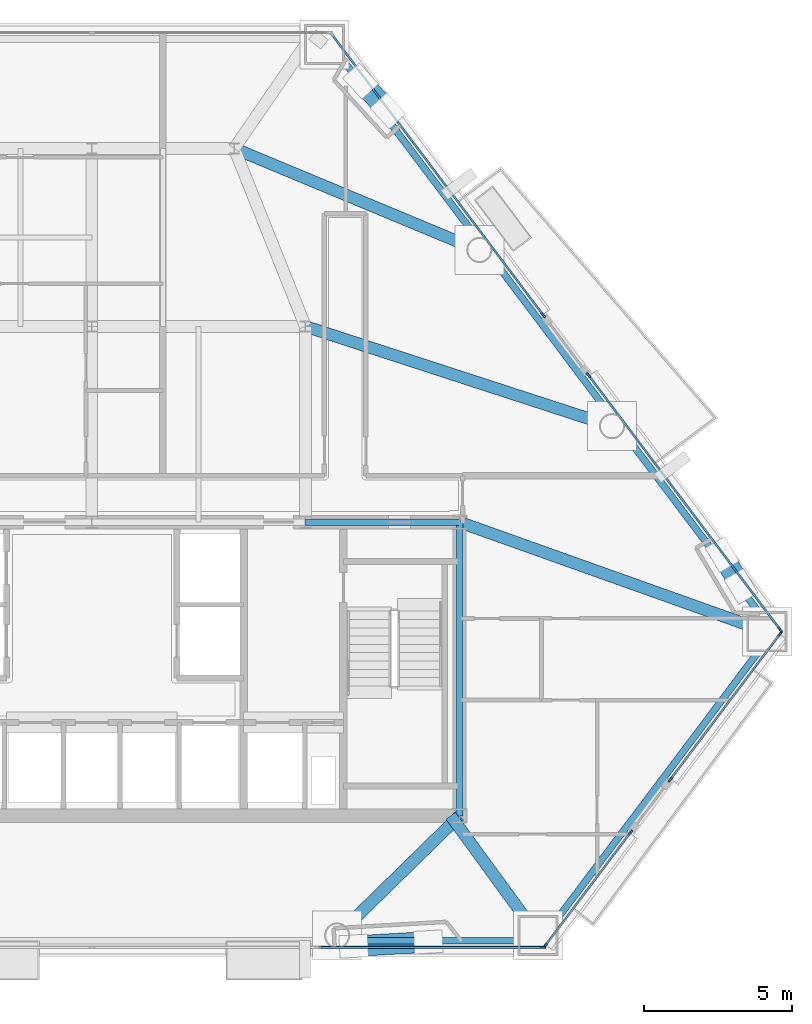
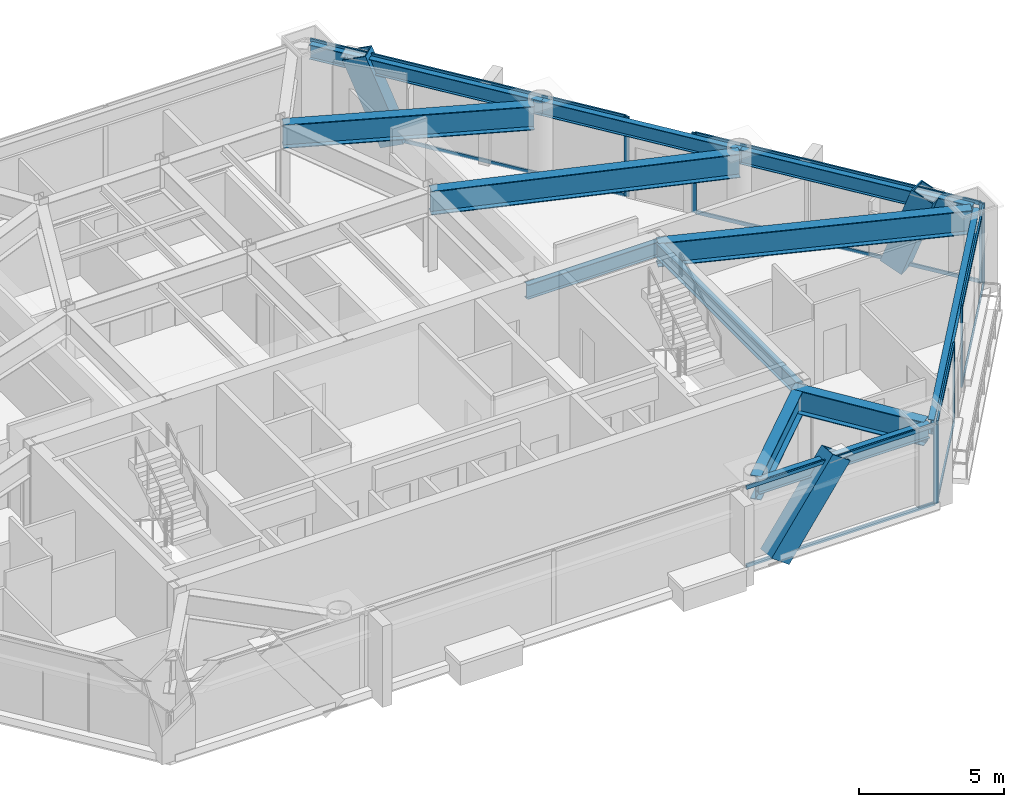
# One storey, part 4 of 10: 21 members, 12 beams, 5 elements without a shape of their own.
"""IFC4 building model written with IfcOpenShell, lengths in metres."""

from ifc_helpers import new_model, si_unit, direction, frame, origin, origin_2d, place, context, subcontext, project, spatial, rectangle, hollow_rectangle, i_section, extrude, material, layer, layer_set, material_profile, profile_set, type_object, element, aggregate, save


model = new_model("IFC4")

# Units and contexts
model_context = context("Model", 3, precision=1e-05, world=origin(), true_north=direction((0.0, 1.0)))
body_context = subcontext(model_context, "Body", "Model", "MODEL_VIEW")
ifc_project = project(units=[si_unit("LENGTHUNIT", "METRE"), si_unit("AREAUNIT", "SQUARE_METRE"), si_unit("VOLUMEUNIT", "CUBIC_METRE"), si_unit("PLANEANGLEUNIT", "RADIAN"), si_unit("MASSUNIT", "GRAM", prefix="KILO")], contexts=[model_context])

# Site, building, storey
site_placement = place(None, origin())
site = spatial("IfcSite", under=ifc_project, at=site_placement, CompositionType="ELEMENT")
building_placement = place(site_placement, origin())
building = spatial("IfcBuilding", under=site, at=building_placement, Name="Talgorran Terracotta Tower", CompositionType="ELEMENT")
storey_placement = place(building_placement, frame((0.0, 0.0, 49.5)))
storey = spatial("IfcBuildingStorey", under=building, at=storey_placement, Name="L12", CompositionType="ELEMENT", Elevation=49.5)

# Beams
ifc_material_1 = material(Name="Steel Grade 350 (350L0)", Category="steel")
ifc_material_profile_1 = material_profile(ifc_material_1, i_section(OverallWidth=0.39990234375, OverallDepth=1.0, WebThickness=0.01611328125, FlangeThickness=0.031005859375, at=origin_2d()), Name="1000WB296")
ifc_profile_set_1 = profile_set([ifc_material_profile_1], Name="Steel Grade 350 (350L0)")
beam_type_1 = type_object("IfcBeamType", Name="BM_1000WB296", PredefinedType="BEAM", material=ifc_profile_set_1)
beam_1_placement = place(storey_placement, frame((12.39990234375, -14.10009765625, 2.85009765625), z_axis=(-0.714889648405, -0.699237292058, 0.0), x_axis=(0.699237292058, -0.714889648405, 0.0)))
element("IfcBeam", 1, at=beam_1_placement, inside=storey, type_object=beam_type_1, Name="L12 South-East Core Tie Beam", PredefinedType="BEAM", context=body_context, shape_type="SweptSolid", body=[
    extrude(i_section(OverallWidth=0.39990234375, OverallDepth=1.0, WebThickness=0.01611328125, FlangeThickness=0.031005859375, at=origin_2d()), origin(), (0.0, 0.0, 1.0), 5.771240234375),
])
beam_2_placement = place(storey_placement, frame((15.0439453125, -18.135498046875, 2.85009765625), z_axis=(-0.589350973105, 0.807877113489, 0.0), x_axis=(-0.807877113489, -0.589350973105, 0.0)))
element("IfcBeam", 2, at=beam_2_placement, inside=storey, type_object=beam_type_1, Name="L12 Perimeter Step Girder 5", PredefinedType="BEAM", context=body_context, shape_type="SweptSolid", body=[
    extrude(i_section(OverallWidth=0.39990234375, OverallDepth=1.0, WebThickness=0.01611328125, FlangeThickness=0.031005859375, at=origin_2d()), origin(), (0.0, 0.0, 1.0), 4.9951171875),
])
beam_3_placement = place(storey_placement, frame((7.199951171875, 2.39990234375, 2.85009765625), z_axis=(0.950964080861, -0.309301336746, 0.0), x_axis=(0.309301336746, 0.950964080861, 0.0)))
element("IfcBeam", 3, at=beam_3_placement, inside=storey, type_object=beam_type_1, Name="L12 Floor Girder G07", PredefinedType="BEAM", context=body_context, shape_type="SweptSolid", body=[
    extrude(i_section(OverallWidth=0.39990234375, OverallDepth=1.0, WebThickness=0.01611328125, FlangeThickness=0.031005859375, at=origin_2d()), origin(), (0.0, 0.0, 1.0), 10.873046875),
])
beam_4_placement = place(storey_placement, frame((4.800048828125, 8.39990234375, 2.85009765625), z_axis=(0.923207843364, -0.384301025177, 0.0), x_axis=(0.384301025177, 0.923207843364, 0.0)))
element("IfcBeam", 4, at=beam_4_placement, inside=storey, type_object=beam_type_1, Name="L12 Floor Girder G14", PredefinedType="BEAM", context=body_context, shape_type="SweptSolid", body=[
    extrude(i_section(OverallWidth=0.39990234375, OverallDepth=1.0, WebThickness=0.01611328125, FlangeThickness=0.031005859375, at=origin_2d()), origin(), (0.0, 0.0, 1.0), 8.713623046875),
])
beam_5_placement = place(storey_placement, frame((12.39990234375, -4.199951171875, 2.85009765625), z_axis=(0.941952171634, -0.335747086889, 0.0), x_axis=(0.335747086889, 0.941952171634, 0.0)))
element("IfcBeam", 5, at=beam_5_placement, inside=storey, type_object=beam_type_1, Name="L12 Floor Girder G18", PredefinedType="BEAM", context=body_context, shape_type="SweptSolid", body=[
    extrude(i_section(OverallWidth=0.39990234375, OverallDepth=1.0, WebThickness=0.01611328125, FlangeThickness=0.031005859375, at=origin_2d()), origin(), (0.0, 0.0, 1.0), 10.99755859375),
])
ifc_material_2 = material(Name="Steel S355 (300PLUS)", Category="steel")
ifc_material_profile_2 = material_profile(ifc_material_2, i_section(OverallWidth=0.22900390625, OverallDepth=0.611572265625, WebThickness=0.011962890625, FlangeThickness=0.01953125, at=origin_2d()), Name="610UB125")
ifc_profile_set_2 = profile_set([ifc_material_profile_2], Name="Steel S355 (300PLUS)")
beam_type_2 = type_object("IfcBeamType", Name="BM_SP_610UB125", PredefinedType="SPANDREL", material=ifc_profile_set_2)
beam_6_placement = place(storey_placement, frame((8.274169921875, -18.315673828125, 3.044189453125), z_axis=(1.0, 0.0, 0.0), x_axis=(0.0, 1.0, 0.0)))
element("IfcBeam", 6, at=beam_6_placement, inside=storey, type_object=beam_type_2, Name="L12 Perimeter Spandrel Beam FC2-MC3", PredefinedType="SPANDREL", context=body_context, shape_type="SweptSolid", body=[
    extrude(i_section(OverallWidth=0.22900390625, OverallDepth=0.611572265625, WebThickness=0.011962890625, FlangeThickness=0.01953125, at=origin_2d()), origin(), (0.0, 0.0, 1.0), 6.769775390625),
])
beam_7_placement = place(storey_placement, frame((15.187744140625, -18.243896484375, 3.044189453125), z_axis=(0.601631480878, 0.79877378601, 0.0), x_axis=(-0.79877378601, 0.601631480878, 0.0)))
element("IfcBeam", 7, at=beam_7_placement, inside=storey, type_object=beam_type_2, Name="L12 Perimeter Spandrel Beam MC3-MC4", PredefinedType="SPANDREL", context=body_context, shape_type="SweptSolid", body=[
    extrude(i_section(OverallWidth=0.22900390625, OverallDepth=0.611572265625, WebThickness=0.011962890625, FlangeThickness=0.01953125, at=origin_2d()), origin(), (0.0, 0.0, 1.0), 12.82373046875),
])
beam_8_placement = place(storey_placement, frame((22.90283203125, -7.7841796875, 3.044189453125), z_axis=(-0.601633271951, 0.798772436981, 0.0), x_axis=(-0.798772436981, -0.601633271951, 0.0)))
element("IfcBeam", 8, at=beam_8_placement, inside=storey, type_object=beam_type_2, Name="L12 Perimeter Spandrel Beam MC4-FC3", PredefinedType="SPANDREL", context=body_context, shape_type="SweptSolid", body=[
    extrude(i_section(OverallWidth=0.22900390625, OverallDepth=0.611572265625, WebThickness=0.011962890625, FlangeThickness=0.01953125, at=origin_2d()), origin(), (0.0, 0.0, 1.0), 8.675048828125),
])
beam_9_placement = place(storey_placement, frame((17.68359375, -0.854736328125, 3.044189453125), z_axis=(-0.601616830796, 0.79878482015, 0.0), x_axis=(-0.79878482015, -0.601616830796, 0.0)))
element("IfcBeam", 9, at=beam_9_placement, inside=storey, type_object=beam_type_2, Name="L12 Perimeter Spandrel Beam FC3-FC4", PredefinedType="SPANDREL", context=body_context, shape_type="SweptSolid", body=[
    extrude(i_section(OverallWidth=0.22900390625, OverallDepth=0.611572265625, WebThickness=0.011962890625, FlangeThickness=0.01953125, at=origin_2d()), origin(), (0.0, 0.0, 1.0), 7.435546875),
])
beam_10_placement = place(storey_placement, frame((13.210205078125, 5.084716796875, 3.044189453125), z_axis=(-0.601628840165, 0.798775774972, 0.0), x_axis=(-0.798775774972, -0.601628840165, 0.0)))
element("IfcBeam", 10, at=beam_10_placement, inside=storey, type_object=beam_type_2, Name="L12 Perimeter Spandrel Beam FC4-MC5", PredefinedType="SPANDREL", context=body_context, shape_type="SweptSolid", body=[
    extrude(i_section(OverallWidth=0.22900390625, OverallDepth=0.611572265625, WebThickness=0.011962890625, FlangeThickness=0.01953125, at=origin_2d()), origin(), (0.0, 0.0, 1.0), 8.6748046875),
])
beam_11_placement = place(storey_placement, frame((12.39990234375, -14.10009765625, 3.044189453125), z_axis=(0.0, 1.0, 0.0), x_axis=(-1.0, 0.0, 0.0)))
element("IfcBeam", 11, at=beam_11_placement, inside=storey, type_object=beam_type_2, Name="L12 Core Frame Beam CFE", PredefinedType="SPANDREL", context=body_context, shape_type="SweptSolid", body=[
    extrude(i_section(OverallWidth=0.22900390625, OverallDepth=0.611572265625, WebThickness=0.011962890625, FlangeThickness=0.01953125, at=origin_2d()), origin(), (0.0, 0.0, 1.0), 9.900146484375),
])
beam_12_placement = place(storey_placement, frame((7.199951171875, -4.199951171875, 3.044189453125), z_axis=(1.0, 0.0, 0.0), x_axis=(0.0, 1.0, 0.0)))
element("IfcBeam", 12, at=beam_12_placement, inside=storey, type_object=beam_type_2, Name="L12 Core Frame Beam CFN4", PredefinedType="SPANDREL", context=body_context, shape_type="SweptSolid", body=[
    extrude(i_section(OverallWidth=0.22900390625, OverallDepth=0.611572265625, WebThickness=0.011962890625, FlangeThickness=0.01953125, at=origin_2d()), origin(), (0.0, 0.0, 1.0), 5.199951171875),
])

# Members
ifc_material_profile_3 = material_profile(ifc_material_1, hollow_rectangle(XDim=0.699951171875, YDim=0.89990234375, WallThickness=0.050048828125, at=origin_2d()), Name="WBOX900X700X50")
ifc_profile_set_3 = profile_set([ifc_material_profile_3], Name="Steel Grade 350 (350L0)")
member_type_1 = type_object("IfcMemberType", Name="MB_MEGA_900", PredefinedType="BRACE", material=ifc_profile_set_3)
member_1_placement = place(storey_placement, frame((8.82958984375, -18.49560546875, -0.02490234375), z_axis=(0.59467351444, 0.034146141663, 0.803241839195), x_axis=(-0.057325555637, 0.998355538208, 0.0)))
element("IfcMember", 13, at=member_1_placement, inside=storey, type_object=member_type_1, Name="L12 Exterior Face Mega-Brace MB-1 (SEF)", PredefinedType="BRACE", context=body_context, shape_type="SweptSolid", body=[
    extrude(hollow_rectangle(XDim=0.699951171875, YDim=0.89990234375, WallThickness=0.050048828125, at=origin_2d()), origin(), (0.0, 0.0, 1.0), 4.232666015625),
])
member_2_placement = place(storey_placement, frame((21.251220703125, -5.2919921875, -0.02490234375), z_axis=(0.176326391184, -0.296371231666, 0.938654940227), x_axis=(0.8594012676, 0.511301732099, 0.0)))
element("IfcMember", 14, at=member_2_placement, inside=storey, type_object=member_type_1, Name="L12 Exterior Face Mega-Brace MB-1 (NEL)", PredefinedType="BRACE", context=body_context, shape_type="SweptSolid", body=[
    extrude(hollow_rectangle(XDim=0.699951171875, YDim=0.89990234375, WallThickness=0.050048828125, at=origin_2d()), origin(), (0.0, 0.0, 1.0), 3.6220703125),
])
member_3_placement = place(storey_placement, frame((9.985595703125, 9.665283203125, -0.02490234375), z_axis=(-0.251679876693, 0.274868808938, 0.927957098976), x_axis=(-0.737532531815, -0.675311605494, 0.0)))
element("IfcMember", 15, at=member_3_placement, inside=storey, type_object=member_type_1, Name="L12 Exterior Face Mega-Brace MB-1 (NEU)", PredefinedType="BRACE", context=body_context, shape_type="SweptSolid", body=[
    extrude(hollow_rectangle(XDim=0.699951171875, YDim=0.89990234375, WallThickness=0.050048828125, at=origin_2d()), origin(), (0.0, 0.0, 1.0), 3.663818359375),
])

# Curtain wall, member
ifc_material_3 = material(Name="Unitised Low-E Double Glazing", Category="glass")
ifc_layer = layer(ifc_material_3, 0.199951171875, Name="CW_SYS2_RES_LOW")
ifc_layer_set = layer_set([ifc_layer], Name="Unitised Low-E Double Glazing")
curtain_wall_type = type_object("IfcCurtainWallType", Name="CW_SYS2_RES_LOW", PredefinedType="NOTDEFINED", material=ifc_layer_set)
curtain_wall_1_placement = place(storey_placement, origin())
curtain_wall_1 = element("IfcCurtainWall", 16, at=curtain_wall_1_placement, inside=storey, type_object=curtain_wall_type, Name="CW-L12-F1", PredefinedType="NOTDEFINED")
ifc_material_4 = material(Name="Architectural Aluminium 6063-T6", Category="aluminium")
ifc_material_profile_4 = material_profile(ifc_material_4, rectangle(XDim=0.06494140625, YDim=0.18505859375, at=origin_2d()), Name="CWM65X185")
ifc_profile_set_4 = profile_set([ifc_material_profile_4], Name="Architectural Aluminium 6063-T6")
member_type_2 = type_object("IfcMemberType", Name="MUL_65X185", PredefinedType="MULLION", material=ifc_profile_set_4)
member_4_placement = place(storey_placement, frame((15.2109375, -18.53564453125, 0.0), z_axis=(0.0, 0.0, 1.0), x_axis=(0.0, 1.0, 0.0)))
member_4 = element("IfcMember", 17, at=member_4_placement, type_object=member_type_2, Name="CW-L12-1 mullion 5", PredefinedType="MULLION", context=body_context, shape_type="SweptSolid", body=[
    extrude(rectangle(XDim=0.06494140625, YDim=0.18505859375, at=origin_2d()), origin(), (0.0, 0.0, 1.0), 3.35009765625),
])

# Curtain wall, members
curtain_wall_2_placement = place(storey_placement, origin())
curtain_wall_2 = element("IfcCurtainWall", 18, at=curtain_wall_2_placement, inside=storey, type_object=curtain_wall_type, Name="CW-L12-F30", PredefinedType="NOTDEFINED")
member_5_placement = place(storey_placement, frame((15.287109375, -18.4775390625, 0.0), z_axis=(0.0, 0.0, 1.0), x_axis=(-0.798774723676, 0.601630235956, 0.0)))
member_5 = element("IfcMember", 19, at=member_5_placement, type_object=member_type_2, Name="CW-L12-30 mullion 1", PredefinedType="MULLION", context=body_context, shape_type="SweptSolid", body=[
    extrude(rectangle(XDim=0.06494140625, YDim=0.18505859375, at=origin_2d()), origin(), (0.0, 0.0, 1.0), 3.35009765625),
])
member_6_placement = place(storey_placement, frame((18.16259765625, -14.65966796875, 0.0), z_axis=(0.0, 0.0, 1.0), x_axis=(-0.798774723676, 0.601630235956, 0.0)))
member_6 = element("IfcMember", 20, at=member_6_placement, type_object=member_type_2, Name="CW-L12-30 mullion 2", PredefinedType="MULLION", context=body_context, shape_type="SweptSolid", body=[
    extrude(rectangle(XDim=0.06494140625, YDim=0.18505859375, at=origin_2d()), origin(), (0.0, 0.0, 1.0), 3.35009765625),
])

curtain_wall_3_placement = place(storey_placement, origin())
curtain_wall_3 = element("IfcCurtainWall", 21, at=curtain_wall_3_placement, inside=storey, type_object=curtain_wall_type, Name="CW-L12-F31", PredefinedType="NOTDEFINED")
member_7_placement = place(storey_placement, frame((19.501220703125, -12.882568359375, 0.0), z_axis=(0.0, 0.0, 1.0), x_axis=(-0.798773272199, 0.601632163053, 0.0)))
member_7 = element("IfcMember", 22, at=member_7_placement, type_object=member_type_2, Name="CW-L12-31 mullion 1", PredefinedType="MULLION", context=body_context, shape_type="SweptSolid", body=[
    extrude(rectangle(XDim=0.06494140625, YDim=0.18505859375, at=origin_2d()), origin(), (0.0, 0.0, 1.0), 3.35009765625),
])
member_8_placement = place(storey_placement, frame((23.216064453125, -7.950439453125, 0.0), z_axis=(0.0, 0.0, 1.0), x_axis=(-0.798773272199, 0.601632163053, 0.0)))
member_8 = element("IfcMember", 23, at=member_8_placement, type_object=member_type_2, Name="CW-L12-31 mullion 2", PredefinedType="MULLION", context=body_context, shape_type="SweptSolid", body=[
    extrude(rectangle(XDim=0.06494140625, YDim=0.18505859375, at=origin_2d()), origin(), (0.0, 0.0, 1.0), 3.35009765625),
])

curtain_wall_4_placement = place(storey_placement, origin())
curtain_wall_4 = element("IfcCurtainWall", 24, at=curtain_wall_4_placement, inside=storey, type_object=curtain_wall_type, Name="CW-L12-F40", PredefinedType="NOTDEFINED")
member_9_placement = place(storey_placement, frame((23.216064453125, -7.83447265625, 0.0), z_axis=(0.0, 0.0, 1.0), x_axis=(-0.79877723302, -0.601626904327, 0.0)))
member_9 = element("IfcMember", 25, at=member_9_placement, type_object=member_type_2, Name="CW-L12-40 mullion 1", PredefinedType="MULLION", context=body_context, shape_type="SweptSolid", body=[
    extrude(rectangle(XDim=0.06494140625, YDim=0.18505859375, at=origin_2d()), origin(), (0.0, 0.0, 1.0), 3.35009765625),
])
member_10_placement = place(storey_placement, frame((16.745849609375, 0.756103515625, 0.0), z_axis=(0.0, 0.0, 1.0), x_axis=(-0.79877723302, -0.601626904327, 0.0)))
member_10 = element("IfcMember", 26, at=member_10_placement, type_object=member_type_2, Name="CW-L12-40 mullion 2", PredefinedType="MULLION", context=body_context, shape_type="SweptSolid", body=[
    extrude(rectangle(XDim=0.06494140625, YDim=0.18505859375, at=origin_2d()), origin(), (0.0, 0.0, 1.0), 3.35009765625),
])

# Curtain wall, member
curtain_wall_5_placement = place(storey_placement, origin())
curtain_wall_5 = element("IfcCurtainWall", 27, at=curtain_wall_5_placement, inside=storey, type_object=curtain_wall_type, Name="CW-L12-F41", PredefinedType="NOTDEFINED")
member_11_placement = place(storey_placement, frame((15.226806640625, 2.77294921875, 0.0), z_axis=(0.0, 0.0, 1.0), x_axis=(-0.798776859059, -0.601627400832, 0.0)))
member_11 = element("IfcMember", 28, at=member_11_placement, type_object=member_type_2, Name="CW-L12-41 mullion 1", PredefinedType="MULLION", context=body_context, shape_type="SweptSolid", body=[
    extrude(rectangle(XDim=0.06494140625, YDim=0.18505859375, at=origin_2d()), origin(), (0.0, 0.0, 1.0), 3.35009765625),
])

# Member
ifc_material_profile_5 = material_profile(ifc_material_4, rectangle(XDim=0.06494140625, YDim=0.14990234375, at=origin_2d()), Name="CWT65X150")
ifc_profile_set_5 = profile_set([ifc_material_profile_5], Name="Architectural Aluminium 6063-T6")
member_type_3 = type_object("IfcMemberType", Name="TRN_65X150", PredefinedType="USERDEFINED", material=ifc_profile_set_5)
member_12_placement = place(storey_placement, frame((7.654296875, -18.53564453125, 0.032470703125), z_axis=(1.0, 0.0, 0.0), x_axis=(0.0, 1.0, 0.0)))
member_12 = element("IfcMember", 29, at=member_12_placement, type_object=member_type_3, Name="CW-L12-1 transom 4.1", ObjectType="TRANSOM", PredefinedType="USERDEFINED", context=body_context, shape_type="SweptSolid", body=[
    extrude(rectangle(XDim=0.06494140625, YDim=0.14990234375, at=origin_2d()), origin(), (0.0, 0.0, 1.0), 7.524169921875),
])

member_13_placement = place(storey_placement, frame((7.654296875, -18.53564453125, 3.3173828125), z_axis=(1.0, 0.0, 0.0), x_axis=(0.0, 1.0, 0.0)))
member_13 = element("IfcMember", 30, at=member_13_placement, type_object=member_type_3, Name="CW-L12-1 transom 4.2", ObjectType="TRANSOM", PredefinedType="USERDEFINED", context=body_context, shape_type="SweptSolid", body=[
    extrude(rectangle(XDim=0.06494140625, YDim=0.14990234375, at=origin_2d()), origin(), (0.0, 0.0, 1.0), 7.524169921875),
])

aggregate(curtain_wall_1, [member_4, member_12, member_13])

member_14_placement = place(storey_placement, frame((15.306640625, -18.45166015625, 0.032470703125), z_axis=(0.601630994988, 0.798774151979, 0.0), x_axis=(-0.798774151979, 0.601630994988, 0.0)))
member_14 = element("IfcMember", 31, at=member_14_placement, type_object=member_type_3, Name="CW-L12-30 transom 1.1", ObjectType="TRANSOM", PredefinedType="USERDEFINED", context=body_context, shape_type="SweptSolid", body=[
    extrude(rectangle(XDim=0.06494140625, YDim=0.14990234375, at=origin_2d()), origin(), (0.0, 0.0, 1.0), 4.714599609375),
])

member_15_placement = place(storey_placement, frame((15.306640625, -18.45166015625, 3.3173828125), z_axis=(0.601630994988, 0.798774151979, 0.0), x_axis=(-0.798774151979, 0.601630994988, 0.0)))
member_15 = element("IfcMember", 32, at=member_15_placement, type_object=member_type_3, Name="CW-L12-30 transom 1.2", ObjectType="TRANSOM", PredefinedType="USERDEFINED", context=body_context, shape_type="SweptSolid", body=[
    extrude(rectangle(XDim=0.06494140625, YDim=0.14990234375, at=origin_2d()), origin(), (0.0, 0.0, 1.0), 4.714599609375),
])

aggregate(curtain_wall_2, [member_5, member_6, member_14, member_15])

member_16_placement = place(storey_placement, frame((19.520751953125, -12.856689453125, 0.032470703125), z_axis=(0.601622697572, 0.798780401466, 0.0), x_axis=(-0.798780401466, 0.601622697572, 0.0)))
member_16 = element("IfcMember", 33, at=member_16_placement, type_object=member_type_3, Name="CW-L12-31 transom 1.1", ObjectType="TRANSOM", PredefinedType="USERDEFINED", context=body_context, shape_type="SweptSolid", body=[
    extrude(rectangle(XDim=0.06494140625, YDim=0.14990234375, at=origin_2d()), origin(), (0.0, 0.0, 1.0), 6.10986328125),
])

member_17_placement = place(storey_placement, frame((19.520751953125, -12.856689453125, 3.3173828125), z_axis=(0.601622697572, 0.798780401466, 0.0), x_axis=(-0.798780401466, 0.601622697572, 0.0)))
member_17 = element("IfcMember", 34, at=member_17_placement, type_object=member_type_3, Name="CW-L12-31 transom 1.2", ObjectType="TRANSOM", PredefinedType="USERDEFINED", context=body_context, shape_type="SweptSolid", body=[
    extrude(rectangle(XDim=0.06494140625, YDim=0.14990234375, at=origin_2d()), origin(), (0.0, 0.0, 1.0), 6.10986328125),
])

aggregate(curtain_wall_3, [member_7, member_8, member_16, member_17])

member_18_placement = place(storey_placement, frame((23.196533203125, -7.80859375, 0.032470703125), z_axis=(-0.601617580142, 0.798784255769, 0.0), x_axis=(-0.798784255769, -0.601617580142, 0.0)))
member_18 = element("IfcMember", 35, at=member_18_placement, type_object=member_type_3, Name="CW-L12-40 transom 1.1", ObjectType="TRANSOM", PredefinedType="USERDEFINED", context=body_context, shape_type="SweptSolid", body=[
    extrude(rectangle(XDim=0.06494140625, YDim=0.14990234375, at=origin_2d()), origin(), (0.0, 0.0, 1.0), 10.689697265625),
])

member_19_placement = place(storey_placement, frame((23.196533203125, -7.80859375, 3.3173828125), z_axis=(-0.601617580142, 0.798784255769, 0.0), x_axis=(-0.798784255769, -0.601617580142, 0.0)))
member_19 = element("IfcMember", 36, at=member_19_placement, type_object=member_type_3, Name="CW-L12-40 transom 1.2", ObjectType="TRANSOM", PredefinedType="USERDEFINED", context=body_context, shape_type="SweptSolid", body=[
    extrude(rectangle(XDim=0.06494140625, YDim=0.14990234375, at=origin_2d()), origin(), (0.0, 0.0, 1.0), 10.689697265625),
])

aggregate(curtain_wall_4, [member_9, member_10, member_18, member_19])

member_20_placement = place(storey_placement, frame((15.207275390625, 2.799072265625, 0.032470703125), z_axis=(-0.601637877827, 0.798768967827, 0.0), x_axis=(-0.798768967827, -0.601637877827, 0.0)))
member_20 = element("IfcMember", 37, at=member_20_placement, type_object=member_type_3, Name="CW-L12-41 transom 1.1", ObjectType="TRANSOM", PredefinedType="USERDEFINED", context=body_context, shape_type="SweptSolid", body=[
    extrude(rectangle(XDim=0.06494140625, YDim=0.14990234375, at=origin_2d()), origin(), (0.0, 0.0, 1.0), 11.79638671875),
])

member_21_placement = place(storey_placement, frame((15.207275390625, 2.799072265625, 3.3173828125), z_axis=(-0.601637877827, 0.798768967827, 0.0), x_axis=(-0.798768967827, -0.601637877827, 0.0)))
member_21 = element("IfcMember", 38, at=member_21_placement, type_object=member_type_3, Name="CW-L12-41 transom 1.2", ObjectType="TRANSOM", PredefinedType="USERDEFINED", context=body_context, shape_type="SweptSolid", body=[
    extrude(rectangle(XDim=0.06494140625, YDim=0.14990234375, at=origin_2d()), origin(), (0.0, 0.0, 1.0), 11.79638671875),
])

aggregate(curtain_wall_5, [member_11, member_20, member_21])

save(model, "model.ifc")
